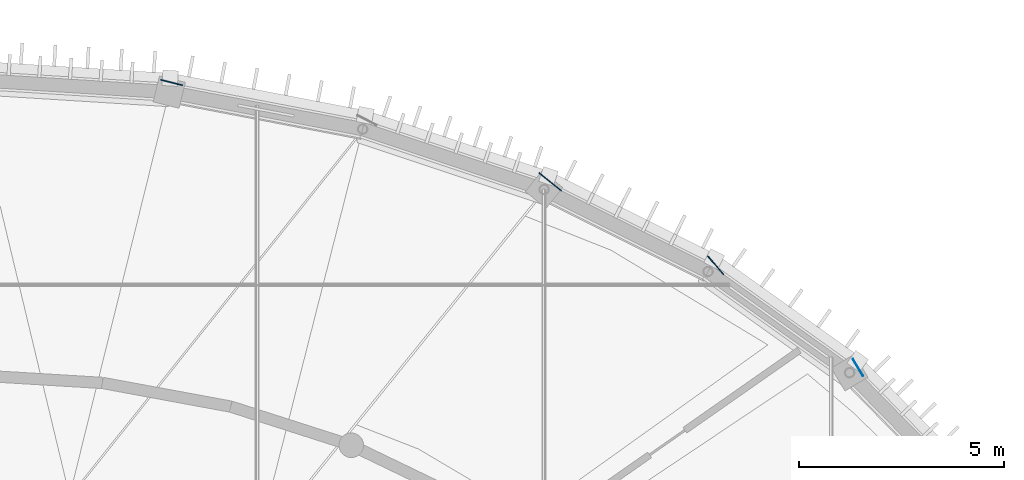
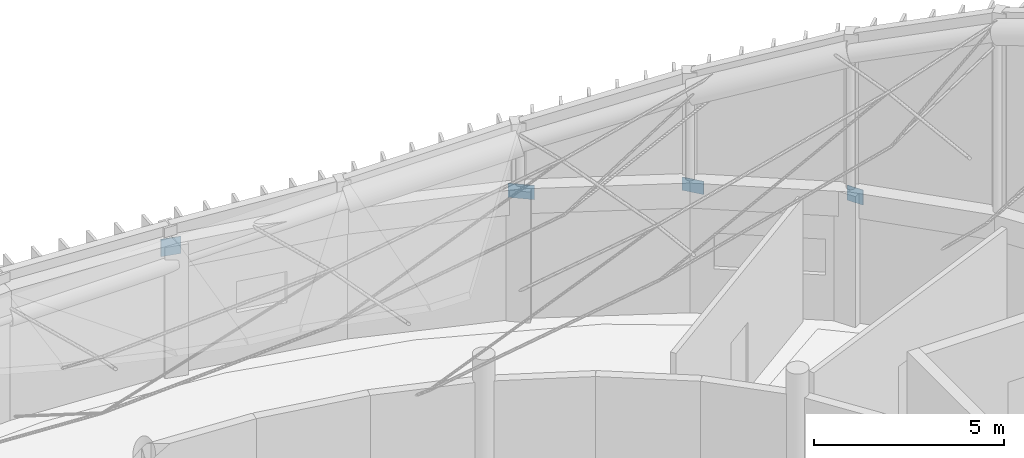
# One storey, part 24 of 36: 4 plates.
"""IFC4 building model written with IfcOpenShell, lengths in metres."""

from ifc_helpers import new_model, si_unit, direction, frame, origin, origin_2d, place, context, subcontext, project, spatial, rectangle, extrude, material, layer, layer_set, type_object, element, save


model = new_model("IFC4")

# Units and contexts
model_context = context("Model", 3, precision=1e-05, world=origin(), true_north=direction((0.0, 1.0)))
body_context = subcontext(model_context, "Body", "Model", "MODEL_VIEW")
ifc_project = project(units=[si_unit("LENGTHUNIT", "METRE"), si_unit("AREAUNIT", "SQUARE_METRE"), si_unit("VOLUMEUNIT", "CUBIC_METRE"), si_unit("PLANEANGLEUNIT", "RADIAN"), si_unit("MASSUNIT", "GRAM", prefix="KILO")], contexts=[model_context])

# Site, building, storey
site_placement = place(None, origin())
site = spatial("IfcSite", under=ifc_project, at=site_placement, CompositionType="ELEMENT")
building_placement = place(site_placement, origin())
building = spatial("IfcBuilding", under=site, at=building_placement, Name="Tarnveldt Headland Concert Hall", CompositionType="ELEMENT")
storey_placement = place(building_placement, frame((0.0, 0.0, 22.800048828125)))
storey = spatial("IfcBuildingStorey", under=building, at=storey_placement, Name="L05", CompositionType="ELEMENT", Elevation=22.800048828125)

# Plates
ifc_material = material(Name="Steel S355", Category="steel")
ifc_layer_1 = layer(ifc_material, 0.02392578125, Name="Steel S355", Category="steel")
ifc_layer_set_1 = layer_set([ifc_layer_1], Name="Steel S355")
plate_type_1 = type_object("IfcPlateType", Name="NP-01", PredefinedType="SHEET", material=ifc_layer_set_1)
plate_1_placement = place(storey_placement, frame((88.419677734375, 74.42919921875, 3.52490234375), z_axis=(0.0, 0.0, 1.0), x_axis=(-0.970842131618, 0.239719743609, 0.0)))
element("IfcPlate", 1, at=plate_1_placement, inside=storey, type_object=plate_type_1, Name="Ring-beam cable anchorage plate 9", PredefinedType="SHEET", context=body_context, shape_type="SweptSolid", body=[
    extrude(rectangle(XDim=0.550048828125, YDim=0.02392578125, at=origin_2d()), origin(), (0.0, 0.0, 1.0), 0.550048828125),
])
ifc_layer_2 = layer(ifc_material, 0.02001953125, Name="Steel S355", Category="steel")
ifc_layer_set_2 = layer_set([ifc_layer_2], Name="Steel S355")
plate_type_2 = type_object("IfcPlateType", Name="NP-05", PredefinedType="SHEET", material=ifc_layer_set_2)
plate_2_placement = place(storey_placement, frame((105.155029296875, 67.479248046875, 3.56005859375), z_axis=(0.0, 0.0, 1.0), x_axis=(-0.514140169175, 0.85770617722, 0.0)))
element("IfcPlate", 2, at=plate_2_placement, inside=storey, type_object=plate_type_2, Name="Ring-beam cable anchorage plate 5", PredefinedType="SHEET", context=body_context, shape_type="SweptSolid", body=[
    extrude(rectangle(XDim=0.47998046875, YDim=0.02001953125, at=origin_2d()), origin(), (0.0, 0.0, 1.0), 0.47998046875),
])
ifc_layer_3 = layer(ifc_material, 0.02197265625, Name="Steel S355", Category="steel")
ifc_layer_set_3 = layer_set([ifc_layer_3], Name="Steel S355")
plate_type_3 = type_object("IfcPlateType", Name="NP-06", PredefinedType="SHEET", material=ifc_layer_set_3)
plate_3_placement = place(storey_placement, frame((101.680908203125, 69.9765625, 3.590087890625), z_axis=(0.0, 0.0, 1.0), x_axis=(-0.648252804699, 0.761425177676, 0.0)))
element("IfcPlate", 3, at=plate_3_placement, inside=storey, type_object=plate_type_3, Name="Ring-beam cable anchorage plate 6", PredefinedType="SHEET", context=body_context, shape_type="SweptSolid", body=[
    extrude(rectangle(XDim=0.60009765625, YDim=0.02197265625, at=origin_2d()), origin(), (0.0, 0.0, 1.0), 0.419921875),
])
ifc_layer_4 = layer(ifc_material, 0.02392578125, Name="Steel S355", Category="steel")
ifc_layer_set_4 = layer_set([ifc_layer_4], Name="Steel S355")
plate_type_4 = type_object("IfcPlateType", Name="NP-07", PredefinedType="SHEET", material=ifc_layer_set_4)
plate_4_placement = place(storey_placement, frame((97.65087890625, 72.007080078125, 3.5751953125), z_axis=(0.0, 0.0, 1.0), x_axis=(-0.777694851116, 0.628641963719, 0.0)))
element("IfcPlate", 4, at=plate_4_placement, inside=storey, type_object=plate_type_4, Name="Ring-beam cable anchorage plate 7", PredefinedType="SHEET", context=body_context, shape_type="SweptSolid", body=[
    extrude(rectangle(XDim=0.699951171875, YDim=0.02392578125, at=origin_2d()), origin(), (0.0, 0.0, 1.0), 0.449951171875),
])

save(model, "model.ifc")
